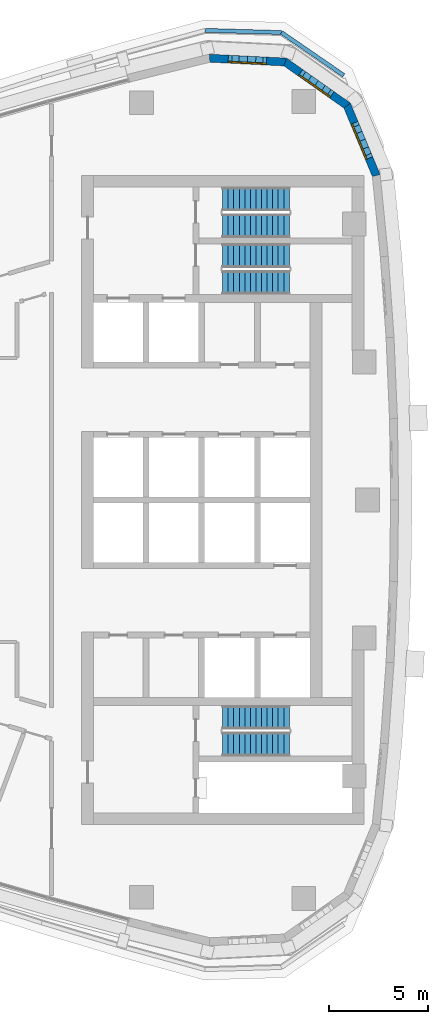
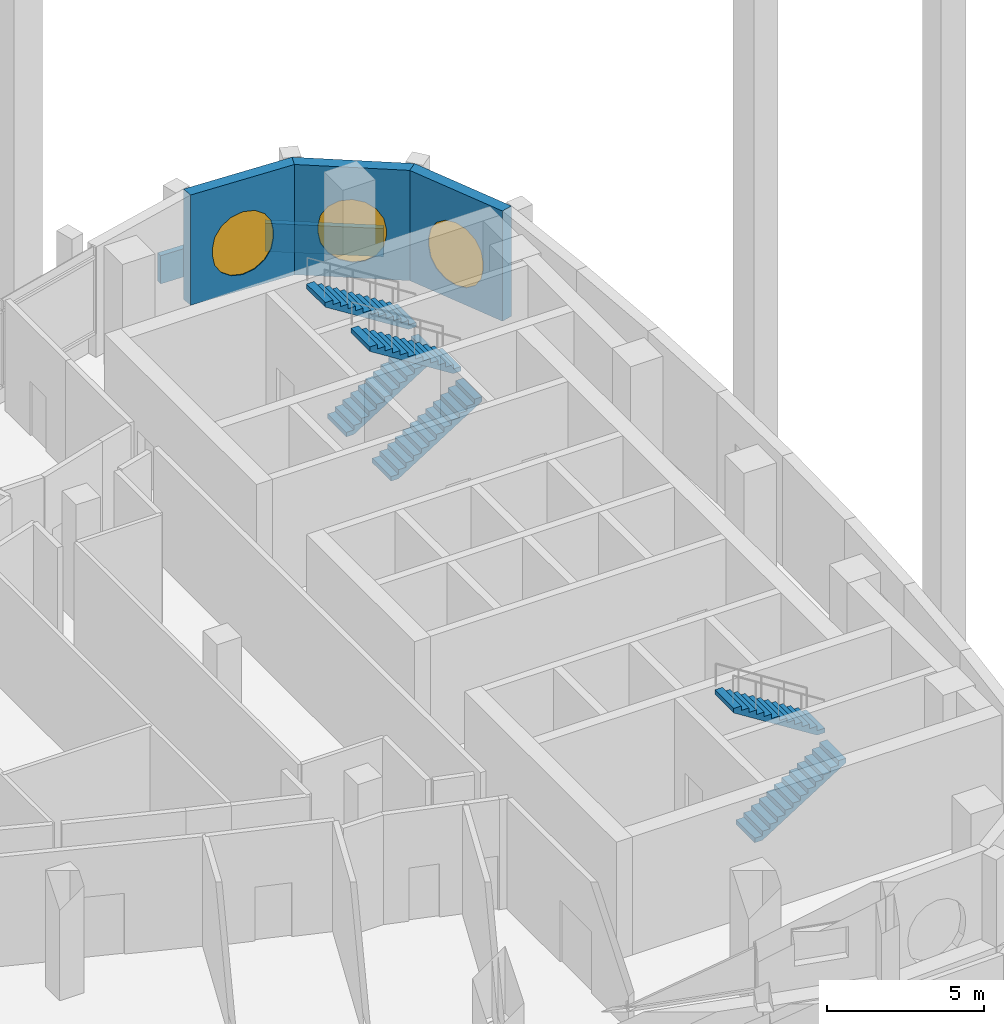
# One storey, part 10 of 15: 6 stair flights, 5 walls, 3 windows, 3 openings, 3 elements without a shape of their own.
"""IFC4 building model written with IfcOpenShell, lengths in metres."""

from ifc_helpers import new_model, si_unit, direction, frame, frame_2d, origin, place, context, subcontext, project, spatial, polyline, rectangle, outline, extrude, material, layer, layer_set, type_object, element, fill, aggregate, save


model = new_model("IFC4")

# Units and contexts
model_context = context("Model", 3, precision=1e-05, world=origin(), true_north=direction((0.0, 1.0)))
body_context = subcontext(model_context, "Body", "Model", "MODEL_VIEW")
ifc_project = project(units=[si_unit("LENGTHUNIT", "METRE"), si_unit("AREAUNIT", "SQUARE_METRE"), si_unit("VOLUMEUNIT", "CUBIC_METRE"), si_unit("PLANEANGLEUNIT", "RADIAN"), si_unit("MASSUNIT", "GRAM", prefix="KILO")], contexts=[model_context])

# Site, building, storey
site_placement = place(None, origin())
site = spatial("IfcSite", under=ifc_project, at=site_placement, CompositionType="ELEMENT")
building_placement = place(site_placement, origin())
building = spatial("IfcBuilding", under=site, at=building_placement, Name="Ostrand Prow Hotel Tower", CompositionType="ELEMENT")
storey_placement = place(building_placement, frame((0.0, 0.0, 216.199951171875)))
storey = spatial("IfcBuildingStorey", under=building, at=storey_placement, Name="L54", CompositionType="ELEMENT", Elevation=216.199951171875)

# Walls
ifc_material_1 = material(Name="Precast concrete C40/50", Category="concrete")
ifc_layer_1 = layer(ifc_material_1, 0.199951171875)
ifc_layer_set_1 = layer_set([ifc_layer_1], Name="Precast concrete C40/50")
wall_type_1 = type_object("IfcWallType", Name="Roof parapet 200 mm precast concrete", PredefinedType="PARAPET", material=ifc_layer_set_1)
wall_1_placement = place(storey_placement, frame((63.30029296875, 21.378173828125, 0.0), z_axis=(0.0, 0.0, 1.0), x_axis=(-0.823824636329, 0.566844748213, 0.0)))
element("IfcWall", 1, at=wall_1_placement, inside=storey, type_object=wall_type_1, Name="Roof parapet LPR0 2.16", PredefinedType="PARAPET", context=body_context, shape_type="SweptSolid", body=[
    extrude(rectangle(XDim=3.803955078125, YDim=0.199951171875, at=frame_2d((1.90185546875, 0.0))), origin(), (0.0, 0.0, 1.0), 1.10009765625),
])
wall_2_placement = place(storey_placement, frame((60.16650390625, 23.534423828125, 0.0), z_axis=(0.0, 0.0, 1.0), x_axis=(-0.999589439394, 0.028652271334, 0.0)))
element("IfcWall", 2, at=wall_2_placement, inside=storey, type_object=wall_type_1, Name="Roof parapet LPR0 2.17", PredefinedType="PARAPET", context=body_context, shape_type="SweptSolid", body=[
    extrude(rectangle(XDim=3.8427734375, YDim=0.199951171875, at=frame_2d((1.92138671875, 0.0))), origin(), (0.0, 0.0, 1.0), 1.10009765625),
])

# Wall, opening, window
ifc_material_2 = material(Name="Precast concrete C40/50", Category="concrete")
ifc_layer_2 = layer(ifc_material_2, 0.39990234375)
ifc_layer_set_2 = layer_set([ifc_layer_2], Name="Precast concrete C40/50")
wall_type_2 = type_object("IfcWallType", Name="Stone-faced precast wall 400 mm", PredefinedType="NOTDEFINED", material=ifc_layer_set_2)
wall_3_placement = place(storey_placement, frame((64.9375, 16.33740234375, 0.0), z_axis=(0.0, 0.0, 1.0), x_axis=(-0.3844335483, 0.923152667191, 0.0)))
wall_3 = element("IfcWall", 3, at=wall_3_placement, inside=storey, type_object=wall_type_2, Name="Stone-faced wall back 13", PredefinedType="NOTDEFINED", context=body_context, shape_type="SweptSolid", body=[
    extrude(outline(polyline([(-0.02978515625, -0.199951171875), (3.871337890625, -0.199951171875), (3.755615234375, 0.199951171875), (0.02978515625, 0.199951171875), (-0.02978515625, -0.199951171875)])), origin(), (0.0, 0.0, 1.0), 4.300048828125),
])
opening_1_placement = place(wall_3_placement, frame((0.806884765625, 0.0, 0.60009765625)))
opening_1 = element("IfcOpeningElement", 4, at=opening_1_placement, cuts=wall_3, Name="Opening WP2", PredefinedType="OPENING", context=body_context, shape_type="SweptSolid", body=[
    extrude(outline(polyline([(0.0, 1.35009765625), (0.083740234375, 1.77099609375), (0.322265625, 2.127685546875), (0.678955078125, 2.3662109375), (1.10009765625, 2.449951171875), (1.52099609375, 2.3662109375), (1.877685546875, 2.127685546875), (2.1162109375, 1.77099609375), (2.199951171875, 1.35009765625), (2.199951171875, 1.10009765625), (2.1162109375, 0.678955078125), (1.877685546875, 0.322265625), (1.52099609375, 0.083740234375), (1.10009765625, 0.0), (0.678955078125, 0.083740234375), (0.322265625, 0.322265625), (0.083740234375, 0.678955078125), (0.0, 1.099853515625), (0.0, 1.35009765625)])), frame((0.0, 0.2099609375, 0.0), z_axis=(0.0, -1.0, 0.0), x_axis=(1.0, 0.0, 0.0)), (0.0, 0.0, 1.0), 0.419921875),
])
ifc_material_3 = material(Name="Insulated glass in bronze frame", Category="glass")
window_type = type_object("IfcWindowType", Name="Round-ended prow lounge window 2200x2450", PartitioningType="SINGLE_PANEL", PredefinedType="WINDOW", material=ifc_material_3)
window_1_placement = place(opening_1_placement, origin())
window_1 = element("IfcWindow", 5, at=window_1_placement, inside=storey, type_object=window_type, Name="Window back 13.1", OverallHeight=2.449951171875, OverallWidth=2.199951171875, PartitioningType="SINGLE_PANEL", PredefinedType="WINDOW", context=body_context, shape_type="SweptSolid", body=[
    extrude(outline(polyline([(0.0, 1.35009765625), (0.083740234375, 1.77099609375), (0.322265625, 2.127685546875), (0.678955078125, 2.3662109375), (1.10009765625, 2.449951171875), (1.52099609375, 2.3662109375), (1.877685546875, 2.127685546875), (2.1162109375, 1.77099609375), (2.199951171875, 1.35009765625), (2.199951171875, 1.10009765625), (2.1162109375, 0.678955078125), (1.877685546875, 0.322265625), (1.52099609375, 0.083740234375), (1.10009765625, 0.0), (0.678955078125, 0.083740234375), (0.322265625, 0.322265625), (0.083740234375, 0.678955078125), (0.0, 1.099853515625), (0.0, 1.35009765625)])), frame((0.0, 0.169921875, 0.0), z_axis=(0.0, -1.0, 0.0), x_axis=(1.0, 0.0, 0.0)), (0.0, 0.0, 1.0), 0.06005859375),
])
fill(opening_1, window_1)

wall_4_placement = place(storey_placement, frame((63.471435546875, 19.85791015625, 0.0), z_axis=(0.0, 0.0, 1.0), x_axis=(-0.817942545532, 0.575299915009, 0.0)))
wall_4 = element("IfcWall", 6, at=wall_4_placement, inside=storey, type_object=wall_type_2, Name="Stone-faced wall back 14", PredefinedType="NOTDEFINED", context=body_context, shape_type="SweptSolid", body=[
    extrude(outline(polyline([(-0.057861328125, -0.199951171875), (3.871337890625, -0.199951171875), (3.755615234375, 0.199951171875), (0.057861328125, 0.199951171875), (-0.057861328125, -0.199951171875)])), origin(), (0.0, 0.0, 1.0), 4.300048828125),
])
opening_2_placement = place(wall_4_placement, frame((0.806884765625, 0.0, 0.60009765625)))
opening_2 = element("IfcOpeningElement", 7, at=opening_2_placement, cuts=wall_4, Name="Opening WP2", PredefinedType="OPENING", context=body_context, shape_type="SweptSolid", body=[
    extrude(outline(polyline([(0.0, 1.35009765625), (0.083740234375, 1.77099609375), (0.322265625, 2.127685546875), (0.678955078125, 2.3662109375), (1.10009765625, 2.449951171875), (1.52099609375, 2.3662109375), (1.877685546875, 2.127685546875), (2.1162109375, 1.77099609375), (2.199951171875, 1.35009765625), (2.199951171875, 1.10009765625), (2.1162109375, 0.678955078125), (1.877685546875, 0.322265625), (1.52099609375, 0.083740234375), (1.10009765625, 0.0), (0.678955078125, 0.083740234375), (0.322265625, 0.322265625), (0.083740234375, 0.678955078125), (0.0, 1.099853515625), (0.0, 1.35009765625)])), frame((0.0, 0.2099609375, 0.0), z_axis=(0.0, -1.0, 0.0), x_axis=(1.0, 0.0, 0.0)), (0.0, 0.0, 1.0), 0.419921875),
])
window_2_placement = place(opening_2_placement, origin())
window_2 = element("IfcWindow", 8, at=window_2_placement, inside=storey, type_object=window_type, Name="Window back 14.1", OverallHeight=2.449951171875, OverallWidth=2.199951171875, PartitioningType="SINGLE_PANEL", PredefinedType="WINDOW", context=body_context, shape_type="SweptSolid", body=[
    extrude(outline(polyline([(0.0, 1.35009765625), (0.083740234375, 1.77099609375), (0.322265625, 2.127685546875), (0.678955078125, 2.3662109375), (1.10009765625, 2.449951171875), (1.52099609375, 2.3662109375), (1.877685546875, 2.127685546875), (2.1162109375, 1.77099609375), (2.199951171875, 1.35009765625), (2.199951171875, 1.10009765625), (2.1162109375, 0.678955078125), (1.877685546875, 0.322265625), (1.52099609375, 0.083740234375), (1.10009765625, 0.0), (0.678955078125, 0.083740234375), (0.322265625, 0.322265625), (0.083740234375, 0.678955078125), (0.0, 1.099853515625), (0.0, 1.35009765625)])), frame((0.0, 0.169921875, 0.0), z_axis=(0.0, -1.0, 0.0), x_axis=(1.0, 0.0, 0.0)), (0.0, 0.0, 1.0), 0.06005859375),
])
fill(opening_2, window_2)

wall_5_placement = place(storey_placement, frame((60.352294921875, 22.0517578125, 0.0), z_axis=(0.0, 0.0, 1.0), x_axis=(-0.998758875872, 0.049806705046, 0.0)))
wall_5 = element("IfcWall", 9, at=wall_5_placement, inside=storey, type_object=wall_type_2, Name="Stone-faced wall back 15", PredefinedType="NOTDEFINED", context=body_context, shape_type="SweptSolid", body=[
    extrude(outline(polyline([(-0.057861328125, -0.199951171875), (3.8427734375, -0.199951171875), (3.7841796875, 0.199951171875), (0.057861328125, 0.199951171875), (-0.057861328125, -0.199951171875)])), origin(), (0.0, 0.0, 1.0), 4.300048828125),
])
opening_3_placement = place(wall_5_placement, frame((0.806884765625, 0.0, 0.60009765625)))
opening_3 = element("IfcOpeningElement", 10, at=opening_3_placement, cuts=wall_5, Name="Opening WP2", PredefinedType="OPENING", context=body_context, shape_type="SweptSolid", body=[
    extrude(outline(polyline([(0.0, 1.35009765625), (0.083740234375, 1.77099609375), (0.322265625, 2.127685546875), (0.678955078125, 2.3662109375), (1.10009765625, 2.449951171875), (1.52099609375, 2.3662109375), (1.877685546875, 2.127685546875), (2.1162109375, 1.77099609375), (2.199951171875, 1.35009765625), (2.199951171875, 1.10009765625), (2.1162109375, 0.678955078125), (1.877685546875, 0.322265625), (1.52099609375, 0.083740234375), (1.10009765625, 0.0), (0.678955078125, 0.083740234375), (0.322265625, 0.322265625), (0.083740234375, 0.678955078125), (0.0, 1.099853515625), (0.0, 1.35009765625)])), frame((0.0, 0.2099609375, 0.0), z_axis=(0.0, -1.0, 0.0), x_axis=(1.0, 0.0, 0.0)), (0.0, 0.0, 1.0), 0.419921875),
])
window_3_placement = place(opening_3_placement, origin())
window_3 = element("IfcWindow", 11, at=window_3_placement, inside=storey, type_object=window_type, Name="Window back 15.1", OverallHeight=2.449951171875, OverallWidth=2.199951171875, PartitioningType="SINGLE_PANEL", PredefinedType="WINDOW", context=body_context, shape_type="SweptSolid", body=[
    extrude(outline(polyline([(0.0, 1.35009765625), (0.083740234375, 1.77099609375), (0.322265625, 2.127685546875), (0.678955078125, 2.3662109375), (1.10009765625, 2.449951171875), (1.52099609375, 2.3662109375), (1.877685546875, 2.127685546875), (2.1162109375, 1.77099609375), (2.199951171875, 1.35009765625), (2.199951171875, 1.10009765625), (2.1162109375, 0.678955078125), (1.877685546875, 0.322265625), (1.52099609375, 0.083740234375), (1.10009765625, 0.0), (0.678955078125, 0.083740234375), (0.322265625, 0.322265625), (0.083740234375, 0.678955078125), (0.0, 1.099853515625), (0.0, 1.35009765625)])), frame((0.0, 0.169921875, 0.0), z_axis=(0.0, -1.0, 0.0), x_axis=(1.0, 0.0, 0.0)), (0.0, 0.0, 1.0), 0.06005859375),
])
fill(opening_3, window_3)

# Stair, stair flights
ifc_material_4 = material(Name="Concrete C40/50", Category="concrete")
stair_type = type_object("IfcStairType", Name="Exit stair 1200 upper zone", PredefinedType="HALF_TURN_STAIR", material=ifc_material_4)
stair_1_placement = place(storey_placement, origin())
stair_1 = element("IfcStair", 12, at=stair_1_placement, inside=storey, type_object=stair_type, Name="L54 ST1C", PredefinedType="HALF_TURN_STAIR")
ifc_material_5 = material(Name="Concrete C40/50", Category="concrete")
stair_flight_type = type_object("IfcStairFlightType", Name="Stair flight 1200 concrete", PredefinedType="STRAIGHT", material=ifc_material_5)
stair_flight_1_placement = place(storey_placement, frame((57.199951171875, 10.949951171875, 0.0), z_axis=(0.0, 0.0, 1.0), x_axis=(1.0, 0.0, 0.0)))
stair_flight_1 = element("IfcStairFlight", 13, at=stair_flight_1_placement, type_object=stair_flight_type, Name="ST1C flight 1", NumberOfRisers=13, NumberOfTreads=12, PredefinedType="STRAIGHT", RiserHeight=0.176923077, TreadLength=0.28, context=body_context, shape_type="SweptSolid", body=[
    extrude(outline(polyline([(0.0, 0.0), (0.0, 0.177001953125), (0.280029296875, 0.177001953125), (0.280029296875, 0.353759765625), (0.56005859375, 0.353759765625), (0.56005859375, 0.53076171875), (0.840087890625, 0.53076171875), (0.840087890625, 0.707763671875), (1.1201171875, 0.707763671875), (1.1201171875, 0.884521484375), (1.39990234375, 0.884521484375), (1.39990234375, 1.0615234375), (1.679931640625, 1.0615234375), (1.679931640625, 1.238525390625), (1.9599609375, 1.238525390625), (1.9599609375, 1.415283203125), (2.239990234375, 1.415283203125), (2.239990234375, 1.59228515625), (2.52001953125, 1.59228515625), (2.52001953125, 1.769287109375), (2.800048828125, 1.769287109375), (2.800048828125, 1.946044921875), (3.080078125, 1.946044921875), (3.080078125, 2.123046875), (3.360107421875, 2.123046875), (3.360107421875, 2.300048828125), (3.360107421875, 1.94580078125), (0.280517578125, 0.0), (0.0, 0.0)])), frame((0.0, 0.60009765625, 0.0), z_axis=(0.0, -1.0, 0.0), x_axis=(1.0, 0.0, 0.0)), (0.0, 0.0, 1.0), 1.199951171875),
])
stair_flight_2_placement = place(storey_placement, frame((60.56005859375, 12.300048828125, 2.300048828125), z_axis=(0.0, 0.0, 1.0), x_axis=(-1.0, 0.0, 0.0)))
stair_flight_2 = element("IfcStairFlight", 14, at=stair_flight_2_placement, type_object=stair_flight_type, Name="ST1C flight 2", NumberOfRisers=13, NumberOfTreads=12, PredefinedType="STRAIGHT", RiserHeight=0.176923077, TreadLength=0.28, context=body_context, shape_type="SweptSolid", body=[
    extrude(outline(polyline([(0.0, 0.0), (0.0, 0.177001953125), (0.280029296875, 0.177001953125), (0.280029296875, 0.353759765625), (0.56005859375, 0.353759765625), (0.56005859375, 0.53076171875), (0.840087890625, 0.53076171875), (0.840087890625, 0.707763671875), (1.1201171875, 0.707763671875), (1.1201171875, 0.884521484375), (1.39990234375, 0.884521484375), (1.39990234375, 1.0615234375), (1.679931640625, 1.0615234375), (1.679931640625, 1.238525390625), (1.9599609375, 1.238525390625), (1.9599609375, 1.415283203125), (2.239990234375, 1.415283203125), (2.239990234375, 1.59228515625), (2.52001953125, 1.59228515625), (2.52001953125, 1.769287109375), (2.800048828125, 1.769287109375), (2.800048828125, 1.946044921875), (3.080078125, 1.946044921875), (3.080078125, 2.123046875), (3.360107421875, 2.123046875), (3.360107421875, 2.300048828125), (3.360107421875, 1.94580078125), (0.280517578125, 0.0), (0.0, 0.0)])), frame((0.0, 0.60009765625, 0.0), z_axis=(0.0, -1.0, 0.0), x_axis=(1.0, 0.0, 0.0)), (0.0, 0.0, 1.0), 1.199951171875),
])
aggregate(stair_1, [stair_flight_1, stair_flight_2])

stair_2_placement = place(storey_placement, origin())
stair_2 = element("IfcStair", 15, at=stair_2_placement, inside=storey, type_object=stair_type, Name="L54 ST3C", PredefinedType="HALF_TURN_STAIR")
stair_flight_3_placement = place(storey_placement, frame((57.199951171875, 13.800048828125, 0.0), z_axis=(0.0, 0.0, 1.0), x_axis=(1.0, 0.0, 0.0)))
stair_flight_3 = element("IfcStairFlight", 16, at=stair_flight_3_placement, type_object=stair_flight_type, Name="ST3C flight 1", NumberOfRisers=13, NumberOfTreads=12, PredefinedType="STRAIGHT", RiserHeight=0.176923077, TreadLength=0.28, context=body_context, shape_type="SweptSolid", body=[
    extrude(outline(polyline([(0.0, 0.0), (0.0, 0.177001953125), (0.280029296875, 0.177001953125), (0.280029296875, 0.353759765625), (0.56005859375, 0.353759765625), (0.56005859375, 0.53076171875), (0.840087890625, 0.53076171875), (0.840087890625, 0.707763671875), (1.1201171875, 0.707763671875), (1.1201171875, 0.884521484375), (1.39990234375, 0.884521484375), (1.39990234375, 1.0615234375), (1.679931640625, 1.0615234375), (1.679931640625, 1.238525390625), (1.9599609375, 1.238525390625), (1.9599609375, 1.415283203125), (2.239990234375, 1.415283203125), (2.239990234375, 1.59228515625), (2.52001953125, 1.59228515625), (2.52001953125, 1.769287109375), (2.800048828125, 1.769287109375), (2.800048828125, 1.946044921875), (3.080078125, 1.946044921875), (3.080078125, 2.123046875), (3.360107421875, 2.123046875), (3.360107421875, 2.300048828125), (3.360107421875, 1.94580078125), (0.280517578125, 0.0), (0.0, 0.0)])), frame((0.0, 0.60009765625, 0.0), z_axis=(0.0, -1.0, 0.0), x_axis=(1.0, 0.0, 0.0)), (0.0, 0.0, 1.0), 1.199951171875),
])
stair_flight_4_placement = place(storey_placement, frame((60.56005859375, 15.14990234375, 2.300048828125), z_axis=(0.0, 0.0, 1.0), x_axis=(-1.0, 0.0, 0.0)))
stair_flight_4 = element("IfcStairFlight", 17, at=stair_flight_4_placement, type_object=stair_flight_type, Name="ST3C flight 2", NumberOfRisers=13, NumberOfTreads=12, PredefinedType="STRAIGHT", RiserHeight=0.176923077, TreadLength=0.28, context=body_context, shape_type="SweptSolid", body=[
    extrude(outline(polyline([(0.0, 0.0), (0.0, 0.177001953125), (0.280029296875, 0.177001953125), (0.280029296875, 0.353759765625), (0.56005859375, 0.353759765625), (0.56005859375, 0.53076171875), (0.840087890625, 0.53076171875), (0.840087890625, 0.707763671875), (1.1201171875, 0.707763671875), (1.1201171875, 0.884521484375), (1.39990234375, 0.884521484375), (1.39990234375, 1.0615234375), (1.679931640625, 1.0615234375), (1.679931640625, 1.238525390625), (1.9599609375, 1.238525390625), (1.9599609375, 1.415283203125), (2.239990234375, 1.415283203125), (2.239990234375, 1.59228515625), (2.52001953125, 1.59228515625), (2.52001953125, 1.769287109375), (2.800048828125, 1.769287109375), (2.800048828125, 1.946044921875), (3.080078125, 1.946044921875), (3.080078125, 2.123046875), (3.360107421875, 2.123046875), (3.360107421875, 2.300048828125), (3.360107421875, 1.94580078125), (0.280517578125, 0.0), (0.0, 0.0)])), frame((0.0, 0.60009765625, 0.0), z_axis=(0.0, -1.0, 0.0), x_axis=(1.0, 0.0, 0.0)), (0.0, 0.0, 1.0), 1.199951171875),
])
aggregate(stair_2, [stair_flight_3, stair_flight_4])

stair_3_placement = place(storey_placement, origin())
stair_3 = element("IfcStair", 18, at=stair_3_placement, inside=storey, type_object=stair_type, Name="L54 ST2C", PredefinedType="HALF_TURN_STAIR")
stair_flight_5_placement = place(storey_placement, frame((57.199951171875, -12.300048828125, 0.0), z_axis=(0.0, 0.0, 1.0), x_axis=(1.0, 0.0, 0.0)))
stair_flight_5 = element("IfcStairFlight", 19, at=stair_flight_5_placement, type_object=stair_flight_type, Name="ST2C flight 1", NumberOfRisers=13, NumberOfTreads=12, PredefinedType="STRAIGHT", RiserHeight=0.176923077, TreadLength=0.28, context=body_context, shape_type="SweptSolid", body=[
    extrude(outline(polyline([(0.0, 0.0), (0.0, 0.177001953125), (0.280029296875, 0.177001953125), (0.280029296875, 0.353759765625), (0.56005859375, 0.353759765625), (0.56005859375, 0.53076171875), (0.840087890625, 0.53076171875), (0.840087890625, 0.707763671875), (1.1201171875, 0.707763671875), (1.1201171875, 0.884521484375), (1.39990234375, 0.884521484375), (1.39990234375, 1.0615234375), (1.679931640625, 1.0615234375), (1.679931640625, 1.238525390625), (1.9599609375, 1.238525390625), (1.9599609375, 1.415283203125), (2.239990234375, 1.415283203125), (2.239990234375, 1.59228515625), (2.52001953125, 1.59228515625), (2.52001953125, 1.769287109375), (2.800048828125, 1.769287109375), (2.800048828125, 1.946044921875), (3.080078125, 1.946044921875), (3.080078125, 2.123046875), (3.360107421875, 2.123046875), (3.360107421875, 2.300048828125), (3.360107421875, 1.94580078125), (0.280517578125, 0.0), (0.0, 0.0)])), frame((0.0, 0.60009765625, 0.0), z_axis=(0.0, -1.0, 0.0), x_axis=(1.0, 0.0, 0.0)), (0.0, 0.0, 1.0), 1.199951171875),
])
stair_flight_6_placement = place(storey_placement, frame((60.56005859375, -10.949951171875, 2.300048828125), z_axis=(0.0, 0.0, 1.0), x_axis=(-1.0, 0.0, 0.0)))
stair_flight_6 = element("IfcStairFlight", 20, at=stair_flight_6_placement, type_object=stair_flight_type, Name="ST2C flight 2", NumberOfRisers=13, NumberOfTreads=12, PredefinedType="STRAIGHT", RiserHeight=0.176923077, TreadLength=0.28, context=body_context, shape_type="SweptSolid", body=[
    extrude(outline(polyline([(0.0, 0.0), (0.0, 0.177001953125), (0.280029296875, 0.177001953125), (0.280029296875, 0.353759765625), (0.56005859375, 0.353759765625), (0.56005859375, 0.53076171875), (0.840087890625, 0.53076171875), (0.840087890625, 0.707763671875), (1.1201171875, 0.707763671875), (1.1201171875, 0.884521484375), (1.39990234375, 0.884521484375), (1.39990234375, 1.0615234375), (1.679931640625, 1.0615234375), (1.679931640625, 1.238525390625), (1.9599609375, 1.238525390625), (1.9599609375, 1.415283203125), (2.239990234375, 1.415283203125), (2.239990234375, 1.59228515625), (2.52001953125, 1.59228515625), (2.52001953125, 1.769287109375), (2.800048828125, 1.769287109375), (2.800048828125, 1.946044921875), (3.080078125, 1.946044921875), (3.080078125, 2.123046875), (3.360107421875, 2.123046875), (3.360107421875, 2.300048828125), (3.360107421875, 1.94580078125), (0.280517578125, 0.0), (0.0, 0.0)])), frame((0.0, 0.60009765625, 0.0), z_axis=(0.0, -1.0, 0.0), x_axis=(1.0, 0.0, 0.0)), (0.0, 0.0, 1.0), 1.199951171875),
])
aggregate(stair_3, [stair_flight_5, stair_flight_6])

save(model, "model.ifc")
